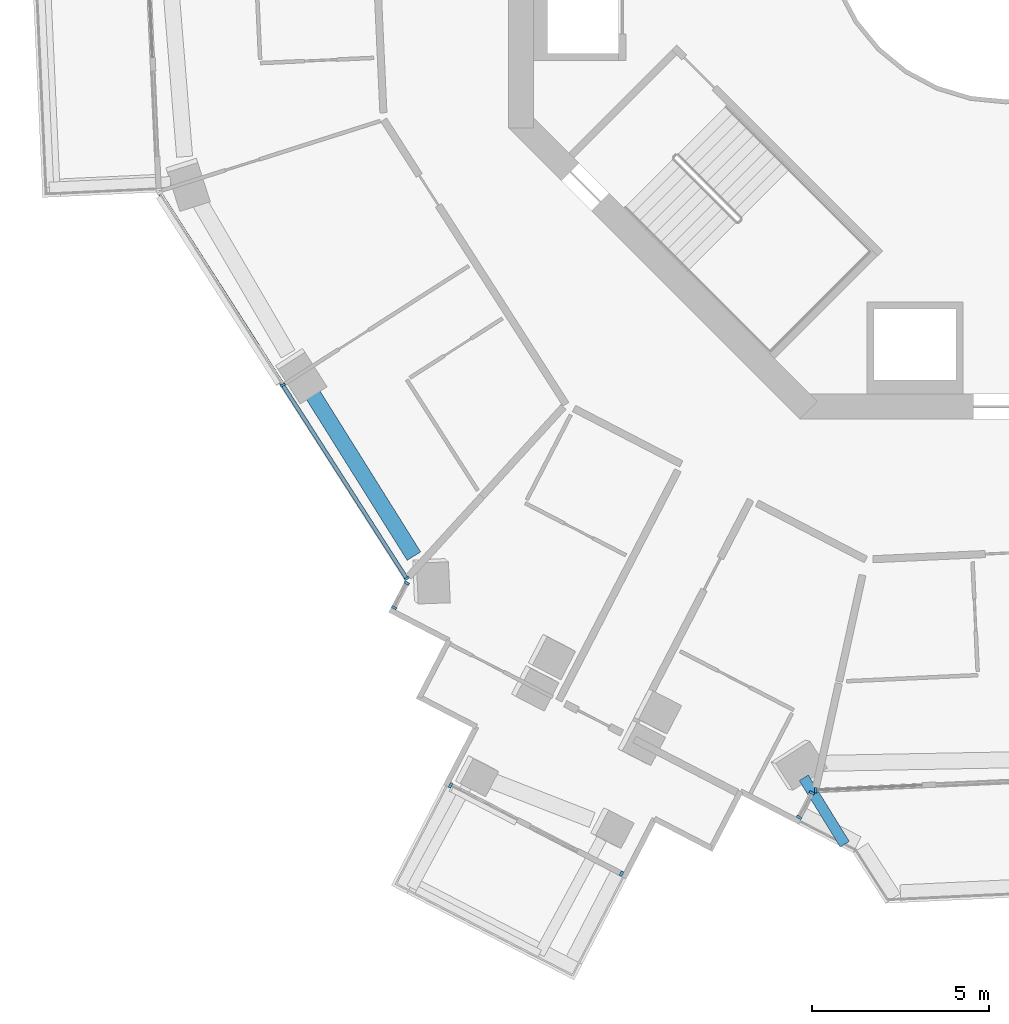
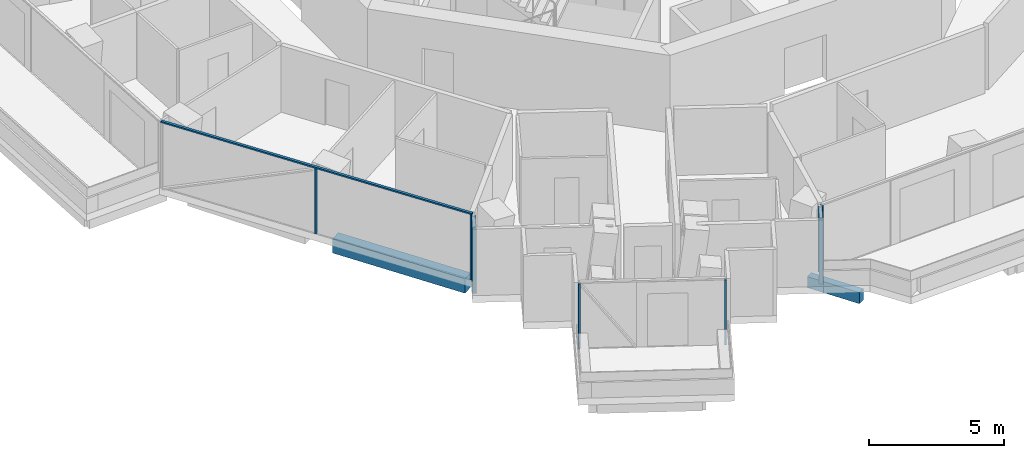
# One storey, part 2 of 22: 10 members, 2 beams, 5 elements without a shape of their own.
"""IFC4 building model written with IfcOpenShell, lengths in metres."""

import ifcopenshell
import ifcopenshell.guid

model = None  # the IFC model being written
_history = None  # IfcOwnerHistory: only IFC2X3 demands one
_inside = {}  # id of a spatial element -> (the spatial element, [elements in it])
_under = {}  # id of a project, library or spatial element -> (it, [spatial elements below it])
_declared = {}  # id of a project -> (the project, [libraries it declares])
_typed = {}  # id of a type object -> (the type object, [elements of that type])
_made_of = {}  # id of a material, layer set ... -> (it, [elements and type objects made of it])


def new_model(schema):
    """Start an empty IFC model of exactly this schema.

    Asked for "IFC4X3", IfcOpenShell would pick the latest addendum, in which some entities
    have other attributes; the version numbers below select the first issue.
    IFC2X3 requires an IfcOwnerHistory on every rooted entity: one is made here for all.
    """
    global model, _history
    if schema == "IFC4X3":
        model = ifcopenshell.file(schema_version=(4, 3, 0, 0))
    else:
        model = ifcopenshell.file(schema=schema)
    _inside.clear()
    _under.clear()
    _declared.clear()
    _typed.clear()
    _made_of.clear()
    _history = None
    if model.schema == "IFC2X3":
        org = make("IfcOrganization", Name="unknown")
        user = make(
            "IfcPersonAndOrganization",
            ThePerson=make("IfcPerson", FamilyName="unknown"),
            TheOrganization=org,
        )
        app = make(
            "IfcApplication",
            ApplicationDeveloper=org,
            Version="unknown",
            ApplicationFullName="unknown",
            ApplicationIdentifier="unknown",
        )
        _history = make(
            "IfcOwnerHistory",
            OwningUser=user,
            OwningApplication=app,
            ChangeAction="ADDED",
            CreationDate=0,
        )
    return model


def make(cls, **values):
    """One entity of the class cls with the attributes given. An attribute that is None is left unset."""
    return model.create_entity(
        cls, **{name: value for name, value in values.items() if value is not None}
    )


def rooted(cls, **values):
    """An entity with a GlobalId (a new one), such as an element, a storey or a relation."""
    return make(cls, GlobalId=ifcopenshell.guid.new(), OwnerHistory=_history, **values)


def si_unit(unit_type, name, prefix=None):
    """IfcSIUnit, for example si_unit("LENGTHUNIT", "METRE", prefix="MILLI")."""
    return make("IfcSIUnit", UnitType=unit_type, Prefix=prefix, Name=name)


def assignment(units):
    """IfcUnitAssignment: the units of a project."""
    return None if units is None else make("IfcUnitAssignment", Units=units)


def point(xyz):
    """IfcCartesianPoint."""
    return None if xyz is None else make("IfcCartesianPoint", Coordinates=xyz)


def direction(xyz):
    """IfcDirection."""
    return None if xyz is None else make("IfcDirection", DirectionRatios=xyz)


def frame(location, z_axis=None, x_axis=None):
    """IfcAxis2Placement3D, a coordinate frame: its origin and axes. An axis left out is left unset."""
    return make(
        "IfcAxis2Placement3D",
        Location=point(location),
        Axis=direction(z_axis),
        RefDirection=direction(x_axis),
    )


def frame_2d(location, x_axis=None):
    """IfcAxis2Placement2D, a coordinate frame in the plane: its origin and x axis."""
    return make(
        "IfcAxis2Placement2D", Location=point(location), RefDirection=direction(x_axis)
    )


def origin():
    """The frame at (0, 0, 0) with its axes left unset."""
    return frame((0.0, 0.0, 0.0))


def origin_2d():
    """The frame at (0, 0) in the plane with its x axis left unset."""
    return frame_2d((0.0, 0.0))


def place(relative_to, where):
    """IfcLocalPlacement: puts the frame where relative to a parent placement (None: the world)."""
    return make(
        "IfcLocalPlacement", PlacementRelTo=relative_to, RelativePlacement=where
    )


def context(
    kind, dimensions, precision=None, world=None, true_north=None, identifier=None
):
    """IfcGeometricRepresentationContext, for example the 3D "Model" context."""
    return make(
        "IfcGeometricRepresentationContext",
        ContextIdentifier=identifier,
        ContextType=kind,
        CoordinateSpaceDimension=dimensions,
        Precision=precision,
        WorldCoordinateSystem=world,
        TrueNorth=true_north,
    )


def subcontext(parent, identifier, kind, view, scale=None):
    """IfcGeometricRepresentationSubContext, for example "Body" below "Model"."""
    return make(
        "IfcGeometricRepresentationSubContext",
        ContextIdentifier=identifier,
        ContextType=kind,
        ParentContext=parent,
        TargetScale=scale,
        TargetView=view,
    )


def project(units=None, contexts=None):
    """IfcProject with its units and contexts."""
    return rooted(
        "IfcProject",
        Name="project",
        RepresentationContexts=contexts,
        UnitsInContext=assignment(units),
    )


def spatial(cls, under=None, at=None, **own):
    """A site, building, storey or space (cls), placed at a placement, below another one or the project."""
    s = rooted(cls, ObjectPlacement=at, **own)
    if under is not None:
        _under.setdefault(under.id(), (under, []))[1].append(s)
    return s


def profile(cls, at=None, kind="AREA", **sizes):
    """A parametric profile (cls). Its sizes go by their IFC names, for example OverallWidth=200.0."""
    return make(cls, ProfileType=kind, Position=at, **sizes)


def rectangle(**sizes):
    """IfcRectangleProfileDef."""
    return profile("IfcRectangleProfileDef", **sizes)


def extrude(swept, where, along, depth):
    """IfcExtrudedAreaSolid: the profile swept, set in the frame where, extruded along a direction by depth."""
    return make(
        "IfcExtrudedAreaSolid",
        SweptArea=swept,
        Position=where,
        ExtrudedDirection=direction(along),
        Depth=depth,
    )


def shape(context_of_items, identifier, shape_type, items):
    """IfcShapeRepresentation: the items that make up one representation, for example the "Body"."""
    return make(
        "IfcShapeRepresentation",
        ContextOfItems=context_of_items,
        RepresentationIdentifier=identifier,
        RepresentationType=shape_type,
        Items=items,
    )


def material(Name=None, Category=None):
    """IfcMaterial."""
    return make("IfcMaterial", Name=Name, Category=Category)


def layer(
    of_material, thickness, ventilated=None, Name=None, Category=None, Priority=None
):
    """IfcMaterialLayer: one layer of a wall or slab, of a material (None: an air gap)."""
    return make(
        "IfcMaterialLayer",
        Material=of_material,
        LayerThickness=thickness,
        IsVentilated=ventilated,
        Name=Name,
        Category=Category,
        Priority=Priority,
    )


def layer_set(layers, Name=None):
    """IfcMaterialLayerSet."""
    return make("IfcMaterialLayerSet", MaterialLayers=layers, LayerSetName=Name)


def material_profile(
    of_material, cross_section, Name=None, Category=None, Priority=None
):
    """IfcMaterialProfile: a cross section and its material."""
    return make(
        "IfcMaterialProfile",
        Name=Name,
        Material=of_material,
        Profile=cross_section,
        Priority=Priority,
        Category=Category,
    )


def profile_set(profiles, Name=None, composite=None):
    """IfcMaterialProfileSet."""
    return make(
        "IfcMaterialProfileSet",
        Name=Name,
        MaterialProfiles=profiles,
        CompositeProfile=composite,
    )


def made_of(thing, what):
    """Note that an element or type object is made of a material, layer set ...; save() writes the relation."""
    if what is not None:
        _made_of.setdefault(what.id(), (what, []))[1].append(thing)
    return thing


def type_object(cls, material=None, **own):
    """A type object (cls), such as IfcWallType, which elements share."""
    return made_of(rooted(cls, **own), material)


def element(
    cls,
    number,
    at=None,
    inside=None,
    cuts=None,
    type_object=None,
    material=None,
    context=None,
    identifier="Body",
    shape_type=None,
    held_by="IfcProductDefinitionShape",
    body=None,
    shapes=None,
    **own,
):
    """One element of the class cls, such as IfcWall. Its Tag is "e" and its number.

    at: its placement. inside: the storey or other place that contains it. cuts: it is an
    opening in that element (IfcRelVoidsElement). A single representation is given by context,
    identifier, shape_type and body (its items); several are given by shapes. held_by: the class
    of the entity that holds the representations. save() writes the other relations.
    """
    e = rooted(cls, Tag="e%d" % number, ObjectPlacement=at, **own)
    if body is not None:
        shapes = [shape(context, identifier, shape_type, body)]
    if shapes is not None:
        e.Representation = make(held_by, Representations=shapes)
    if inside is not None:
        _inside.setdefault(inside.id(), (inside, []))[1].append(e)
    if cuts is not None:
        rooted(
            "IfcRelVoidsElement", RelatingBuildingElement=cuts, RelatedOpeningElement=e
        )
    if type_object is not None:
        _typed.setdefault(type_object.id(), (type_object, []))[1].append(e)
    return made_of(e, material)


def aggregate(whole, parts):
    """IfcRelAggregates: a whole, such as a stair, and the parts it consists of."""
    return rooted("IfcRelAggregates", RelatingObject=whole, RelatedObjects=parts)


def save(model, path):
    """Write the relations noted so far, then the file.

    IfcRelAggregates (storeys below a building ...), IfcRelContainedInSpatialStructure (elements
    in a storey), IfcRelDefinesByType, IfcRelAssociatesMaterial and IfcRelDeclares: one each for
    every whole, place, type object, material and project.
    """
    for whole, parts in _under.values():
        aggregate(whole, parts)
    for where, things in _inside.values():
        rooted(
            "IfcRelContainedInSpatialStructure",
            RelatedElements=things,
            RelatingStructure=where,
        )
    for kind, things in _typed.values():
        rooted("IfcRelDefinesByType", RelatedObjects=things, RelatingType=kind)
    for what, things in _made_of.values():
        rooted("IfcRelAssociatesMaterial", RelatedObjects=things, RelatingMaterial=what)
    for by, libraries in _declared.values():
        rooted("IfcRelDeclares", RelatingContext=by, RelatedDefinitions=libraries)
    model.write(path)


model = new_model("IFC4")

# Units and contexts
model_context = context("Model", 3, precision=1e-05, world=origin(), true_north=direction((0.0, 1.0)))
body_context = subcontext(model_context, "Body", "Model", "MODEL_VIEW")
ifc_project = project(units=[si_unit("LENGTHUNIT", "METRE"), si_unit("AREAUNIT", "SQUARE_METRE"), si_unit("VOLUMEUNIT", "CUBIC_METRE"), si_unit("PLANEANGLEUNIT", "RADIAN"), si_unit("MASSUNIT", "GRAM", prefix="KILO")], contexts=[model_context])

# Site, building, storey
site_placement = place(None, origin())
site = spatial("IfcSite", under=ifc_project, at=site_placement, CompositionType="ELEMENT")
building_placement = place(site_placement, origin())
building = spatial("IfcBuilding", under=site, at=building_placement, Name="Verdalira Terraces Hotel", CompositionType="ELEMENT")
storey_placement = place(building_placement, frame((0.0, 0.0, 165.5)))
storey = spatial("IfcBuildingStorey", under=building, at=storey_placement, Name="L40", CompositionType="ELEMENT", Elevation=165.5)

# Beam
ifc_material_1 = material(Name="Concrete C40", Category="concrete")
ifc_material_profile_1 = material_profile(ifc_material_1, rectangle(XDim=0.300049, YDim=0.5, at=origin_2d()), Name="RC 300X500")
ifc_profile_set_1 = profile_set([ifc_material_profile_1], Name="Concrete C40")
beam_type_1 = type_object("IfcBeamType", Name="Balcony cantilever beam RC 300X500 C40", PredefinedType="BEAM", material=ifc_profile_set_1)
beam_1_placement = place(storey_placement, frame((-5.685303, -24.108643, -0.560059), z_axis=(0.525218568, -0.850967365, 0.0), x_axis=(0.850967365, 0.525218568, 0.0)))
element("IfcBeam", 1, at=beam_1_placement, inside=storey, type_object=beam_type_1, Name="Balcony cantilever beam R24-3", PredefinedType="BEAM", context=body_context, shape_type="SweptSolid", body=[
    extrude(rectangle(XDim=0.300049, YDim=0.5, at=origin_2d()), origin(), (0.0, 0.0, 1.0), 2.198242),
])

# Curtain wall, members
ifc_material_2 = material(Name="Clear glass", Category="glass")
ifc_layer_1 = layer(ifc_material_2, 0.14990234375)
ifc_layer_set_1 = layer_set([ifc_layer_1], Name="CW1 curtain wall")
curtain_wall_type_1 = type_object("IfcCurtainWallType", Name="CW1 curtain wall", PredefinedType="NOTDEFINED", material=ifc_layer_set_1)
curtain_wall_1_placement = place(storey_placement, origin())
curtain_wall_1 = element("IfcCurtainWall", 2, at=curtain_wall_1_placement, inside=storey, type_object=curtain_wall_type_1, Name="CW1 curtain wall L40 edge 13", PredefinedType="NOTDEFINED")
ifc_material_3 = material(Name="Terracotta frame", Category="masonry")
ifc_material_profile_2 = material_profile(ifc_material_3, rectangle(XDim=0.060059, YDim=0.149902, at=origin_2d()), Name="MU 60x150")
ifc_profile_set_2 = profile_set([ifc_material_profile_2], Name="Terracotta frame")
member_type_1 = type_object("IfcMemberType", Name="CW1 mullion 60x150", PredefinedType="MULLION", material=ifc_profile_set_2)
member_1_placement = place(storey_placement, frame((-20.364258, -13.043457, 0.0), z_axis=(0.0, 0.0, 1.0), x_axis=(0.539358796, -0.842076059, 0.0)))
member_1 = element("IfcMember", 3, at=member_1_placement, type_object=member_type_1, Name="CW1 mullion", PredefinedType="MULLION", context=body_context, shape_type="SweptSolid", body=[
    extrude(rectangle(XDim=0.060059, YDim=0.149902, at=origin_2d()), origin(), (0.0, 0.0, 1.0), 2.935059),
])
member_2_placement = place(storey_placement, frame((-16.874512, -18.491699, 0.0), z_axis=(0.0, 0.0, 1.0), x_axis=(0.539358796, -0.842076059, 0.0)))
member_2 = element("IfcMember", 4, at=member_2_placement, type_object=member_type_1, Name="CW1 mullion", PredefinedType="MULLION", context=body_context, shape_type="SweptSolid", body=[
    extrude(rectangle(XDim=0.060059, YDim=0.149902, at=origin_2d()), origin(), (0.0, 0.0, 1.0), 2.935059),
])

# Curtain wall, member
curtain_wall_2_placement = place(storey_placement, origin())
curtain_wall_2 = element("IfcCurtainWall", 5, at=curtain_wall_2_placement, inside=storey, type_object=curtain_wall_type_1, Name="CW1 curtain wall L40 edge 25", PredefinedType="NOTDEFINED")
member_3_placement = place(storey_placement, frame((-5.349121, -24.455566, 0.0), z_axis=(0.0, 0.0, 1.0), x_axis=(0.998938657, 0.04606039, 0.0)))
member_3 = element("IfcMember", 6, at=member_3_placement, type_object=member_type_1, Name="CW1 mullion", PredefinedType="MULLION", context=body_context, shape_type="SweptSolid", body=[
    extrude(rectangle(XDim=0.060059, YDim=0.149902, at=origin_2d()), origin(), (0.0, 0.0, 1.0), 2.935059),
])
aggregate(curtain_wall_2, [member_3])

# Member
ifc_material_4 = material(Name="Terracotta frame", Category="masonry")
ifc_material_profile_3 = material_profile(ifc_material_4, rectangle(XDim=0.110107, YDim=0.064941, at=origin_2d()), Name="TR 65x110")
ifc_profile_set_3 = profile_set([ifc_material_profile_3], Name="Terracotta frame")
member_type_2 = type_object("IfcMemberType", Name="CW1 transom 65x110", PredefinedType="USERDEFINED", material=ifc_profile_set_3)
member_4_placement = place(storey_placement, frame((-23.848389, -7.60376, 2.967529), z_axis=(0.539352484, -0.842080102, 0.0), x_axis=(0.842080102, 0.539352484, 0.0)))
member_4 = element("IfcMember", 7, at=member_4_placement, type_object=member_type_2, Name="CW1 transom", ObjectType="TRANSOM", PredefinedType="USERDEFINED", context=body_context, shape_type="SweptSolid", body=[
    extrude(rectangle(XDim=0.110107, YDim=0.064941, at=origin_2d()), origin(), (0.0, 0.0, 1.0), 12.959961),
])

aggregate(curtain_wall_1, [member_1, member_2, member_4])

# Curtain wall, members
ifc_material_5 = material(Name="Clear glass", Category="glass")
ifc_layer_2 = layer(ifc_material_5, 0.14990234375)
ifc_layer_set_2 = layer_set([ifc_layer_2], Name="CW2 curtain wall")
curtain_wall_type_2 = type_object("IfcCurtainWallType", Name="CW2 curtain wall", PredefinedType="NOTDEFINED", material=ifc_layer_set_2)
curtain_wall_3_placement = place(storey_placement, origin())
curtain_wall_3 = element("IfcCurtainWall", 8, at=curtain_wall_3_placement, inside=storey, type_object=curtain_wall_type_2, Name="CW2 curtain wall L40 edge 14", PredefinedType="NOTDEFINED")
ifc_material_6 = material(Name="Terracotta frame", Category="masonry")
ifc_material_profile_4 = material_profile(ifc_material_6, rectangle(XDim=0.070068, YDim=0.149902, at=origin_2d()), Name="MU 70x150")
ifc_profile_set_4 = profile_set([ifc_material_profile_4], Name="Terracotta frame")
member_type_3 = type_object("IfcMemberType", Name="CW2 mullion 70x150", PredefinedType="MULLION", material=ifc_profile_set_4)
member_5_placement = place(storey_placement, frame((-16.871094, -18.623047, 0.0), z_axis=(0.0, 0.0, 1.0), x_axis=(-0.459579861, -0.888136449, 0.0)))
member_5 = element("IfcMember", 9, at=member_5_placement, type_object=member_type_3, Name="CW2 mullion", PredefinedType="MULLION", context=body_context, shape_type="SweptSolid", body=[
    extrude(rectangle(XDim=0.070068, YDim=0.149902, at=origin_2d()), origin(), (0.0, 0.0, 1.0), 2.935059),
])
member_6_placement = place(storey_placement, frame((-17.229492, -19.315674, 0.0), z_axis=(0.0, 0.0, 1.0), x_axis=(-0.459579861, -0.888136449, 0.0)))
member_6 = element("IfcMember", 10, at=member_6_placement, type_object=member_type_3, Name="CW2 mullion", PredefinedType="MULLION", context=body_context, shape_type="SweptSolid", body=[
    extrude(rectangle(XDim=0.070068, YDim=0.149902, at=origin_2d()), origin(), (0.0, 0.0, 1.0), 2.935059),
])
aggregate(curtain_wall_3, [member_5, member_6])

curtain_wall_4_placement = place(storey_placement, origin())
curtain_wall_4 = element("IfcCurtainWall", 11, at=curtain_wall_4_placement, inside=storey, type_object=curtain_wall_type_2, Name="CW2 curtain wall L40 edge 24", PredefinedType="NOTDEFINED")
member_7_placement = place(storey_placement, frame((-5.816895, -25.221436, 0.0), z_axis=(0.0, 0.0, 1.0), x_axis=(0.459579861, 0.888136449, 0.0)))
member_7 = element("IfcMember", 12, at=member_7_placement, type_object=member_type_3, Name="CW2 mullion", PredefinedType="MULLION", context=body_context, shape_type="SweptSolid", body=[
    extrude(rectangle(XDim=0.070068, YDim=0.149902, at=origin_2d()), origin(), (0.0, 0.0, 1.0), 2.935059),
])
member_8_placement = place(storey_placement, frame((-5.458496, -24.528564, 0.0), z_axis=(0.0, 0.0, 1.0), x_axis=(0.459579861, 0.888136449, 0.0)))
member_8 = element("IfcMember", 13, at=member_8_placement, type_object=member_type_3, Name="CW2 mullion", PredefinedType="MULLION", context=body_context, shape_type="SweptSolid", body=[
    extrude(rectangle(XDim=0.070068, YDim=0.149902, at=origin_2d()), origin(), (0.0, 0.0, 1.0), 2.935059),
])
aggregate(curtain_wall_4, [member_7, member_8])

ifc_material_7 = material(Name="Clear glass", Category="glass")
ifc_layer_3 = layer(ifc_material_7, 0.14990234375)
ifc_layer_set_3 = layer_set([ifc_layer_3], Name="CW3 curtain wall")
curtain_wall_type_3 = type_object("IfcCurtainWallType", Name="CW3 curtain wall", PredefinedType="NOTDEFINED", material=ifc_layer_set_3)
curtain_wall_5_placement = place(storey_placement, origin())
curtain_wall_5 = element("IfcCurtainWall", 14, at=curtain_wall_5_placement, inside=storey, type_object=curtain_wall_type_3, Name="CW3 curtain wall L40 edge 19", PredefinedType="NOTDEFINED")
ifc_material_8 = material(Name="Terracotta frame", Category="masonry")
ifc_material_profile_5 = material_profile(ifc_material_8, rectangle(XDim=0.080078, YDim=0.149902, at=origin_2d()), Name="MU 80x150")
ifc_profile_set_5 = profile_set([ifc_material_profile_5], Name="Terracotta frame")
member_type_4 = type_object("IfcMemberType", Name="CW3 mullion 80x150", PredefinedType="MULLION", material=ifc_profile_set_5)
member_9_placement = place(storey_placement, frame((-15.63501, -24.318115, 0.0), z_axis=(0.0, 0.0, 1.0), x_axis=(0.888136449, -0.459579861, 0.0)))
member_9 = element("IfcMember", 15, at=member_9_placement, type_object=member_type_4, Name="CW3 mullion", PredefinedType="MULLION", context=body_context, shape_type="SweptSolid", body=[
    extrude(rectangle(XDim=0.080078, YDim=0.149902, at=origin_2d()), origin(), (0.0, 0.0, 1.0), 2.935059),
])
member_10_placement = place(storey_placement, frame((-10.821289, -26.809082, 0.0), z_axis=(0.0, 0.0, 1.0), x_axis=(0.888136449, -0.459579861, 0.0)))
member_10 = element("IfcMember", 16, at=member_10_placement, type_object=member_type_4, Name="CW3 mullion", PredefinedType="MULLION", context=body_context, shape_type="SweptSolid", body=[
    extrude(rectangle(XDim=0.080078, YDim=0.149902, at=origin_2d()), origin(), (0.0, 0.0, 1.0), 2.935059),
])
aggregate(curtain_wall_5, [member_9, member_10])

# Beam
ifc_material_9 = material(Name="Concrete C50", Category="concrete")
ifc_material_profile_6 = material_profile(ifc_material_9, rectangle(XDim=0.449951, YDim=0.649902, at=origin_2d()), Name="RC 450X650")
ifc_profile_set_6 = profile_set([ifc_material_profile_6], Name="Concrete C50")
beam_type_2 = type_object("IfcBeamType", Name="Spandrel beam RC 450X650 C50", PredefinedType="SPANDREL", material=ifc_profile_set_6)
beam_2_placement = place(storey_placement, frame((-19.611572, -13.162354, -0.63501), z_axis=(0.530635972, -0.847599826, 0.0), x_axis=(0.847599826, 0.530635972, 0.0)))
element("IfcBeam", 17, at=beam_2_placement, inside=storey, type_object=beam_type_2, Name="Spandrel beam B07", PredefinedType="SPANDREL", context=body_context, shape_type="SweptSolid", body=[
    extrude(rectangle(XDim=0.449951, YDim=0.649902, at=origin_2d()), origin(), (0.0, 0.0, 1.0), 5.544922),
])

save(model, "model.ifc")
